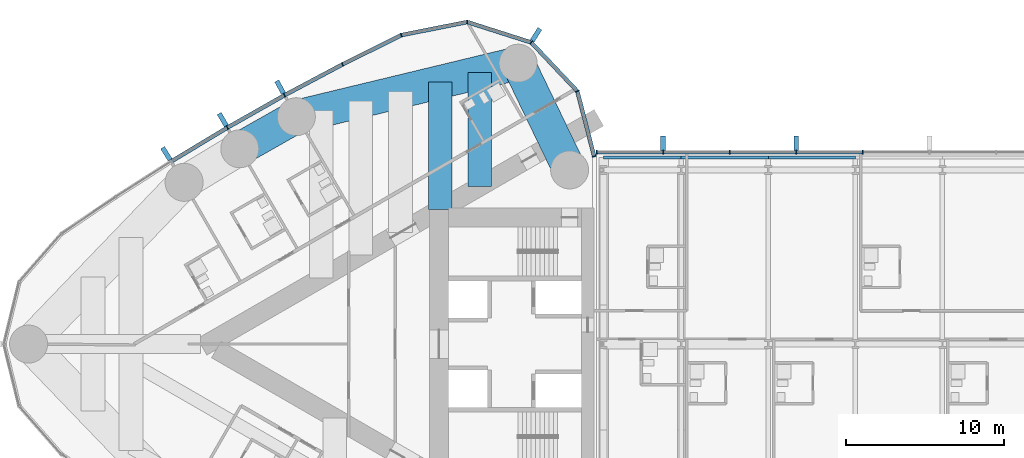
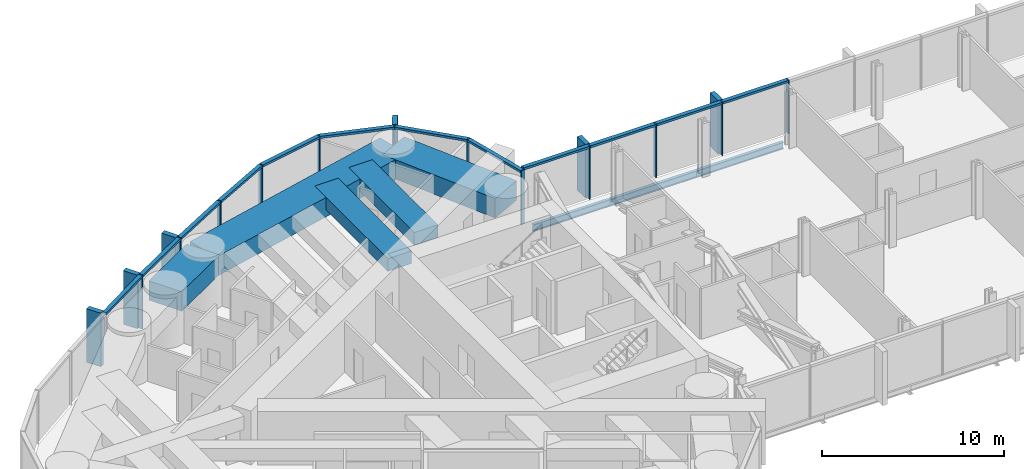
# One storey, part 6 of 23: 31 members, 8 beams, 2 elements without a shape of their own.
"""IFC4 building model written with IfcOpenShell, lengths in metres."""

from ifc_helpers import new_model, si_unit, direction, frame, origin, origin_2d, place, context, subcontext, project, spatial, rectangle, i_section, extrude, material, material_profile, profile_set, type_object, element, aggregate, save


model = new_model("IFC4")

# Units and contexts
model_context = context("Model", 3, precision=1e-05, world=origin(), true_north=direction((0.0, 1.0)))
body_context = subcontext(model_context, "Body", "Model", "MODEL_VIEW")
ifc_project = project(units=[si_unit("LENGTHUNIT", "METRE"), si_unit("AREAUNIT", "SQUARE_METRE"), si_unit("VOLUMEUNIT", "CUBIC_METRE"), si_unit("PLANEANGLEUNIT", "RADIAN"), si_unit("MASSUNIT", "GRAM", prefix="KILO")], contexts=[model_context])

# Site, building, storey
site_placement = place(None, origin())
site = spatial("IfcSite", under=ifc_project, at=site_placement, CompositionType="ELEMENT")
building_placement = place(site_placement, origin())
building = spatial("IfcBuilding", under=site, at=building_placement, Name="Lancet Gate Hotel", CompositionType="ELEMENT")
storey_placement = place(building_placement, frame((0.0, 0.0, 240.5)))
storey = spatial("IfcBuildingStorey", under=building, at=storey_placement, Name="L64", CompositionType="ELEMENT", Elevation=240.5)

# Curtain wall, members
ifc_material_1 = material(Name="Aluminium curtain wall", Category="aluminium")
curtain_wall_type_1 = type_object("IfcCurtainWallType", Name="Tower unitised curtain wall", PredefinedType="USERDEFINED", material=ifc_material_1)
curtain_wall_1_placement = place(storey_placement, origin())
curtain_wall_1 = element("IfcCurtainWall", 1, at=curtain_wall_1_placement, inside=storey, type_object=curtain_wall_type_1, Name="T1 L64 curtain wall 1", ObjectType="UNITISED CURTAIN WALL", PredefinedType="USERDEFINED")
ifc_material_2 = material(Name="Aluminium mullion", Category="aluminium")
ifc_material_profile_1 = material_profile(ifc_material_2, rectangle(XDim=0.06494140625, YDim=0.25, at=origin_2d()), Name="MULLION 65x250")
ifc_profile_set_1 = profile_set([ifc_material_profile_1], Name="Aluminium mullion")
member_type_1 = type_object("IfcMemberType", Name="Aluminium mullion 65x250", PredefinedType="MULLION", material=ifc_profile_set_1)
member_1_placement = place(storey_placement, frame((-27.5, 11.861572265625, 0.0), z_axis=(0.0, 0.0, 1.0), x_axis=(-0.249725827997, 0.968316586056, 0.0)))
member_1 = element("IfcMember", 2, at=member_1_placement, type_object=member_type_1, Name="T1 L64 curtain wall 1 mullion 1", PredefinedType="MULLION", context=body_context, shape_type="SweptSolid", body=[
    extrude(rectangle(XDim=0.06494140625, YDim=0.25, at=origin_2d()), origin(), (0.0, 0.0, 1.0), 3.60009765625),
])
member_2_placement = place(storey_placement, frame((-28.56005859375, 15.97216796875, 0.0), z_axis=(0.0, 0.0, 1.0), x_axis=(-0.483627322447, 0.875274021654, 0.0)))
member_2 = element("IfcMember", 3, at=member_2_placement, type_object=member_type_1, Name="T1 L64 curtain wall 1 mullion 2", PredefinedType="MULLION", context=body_context, shape_type="SweptSolid", body=[
    extrude(rectangle(XDim=0.06494140625, YDim=0.25, at=origin_2d()), origin(), (0.0, 0.0, 1.0), 3.60009765625),
])
member_3_placement = place(storey_placement, frame((-31.476318359375, 19.0576171875, 0.0), z_axis=(0.0, 0.0, 1.0), x_axis=(-0.846612863, 0.532209225966, 0.0)))
member_3 = element("IfcMember", 4, at=member_3_placement, type_object=member_type_1, Name="T1 L64 curtain wall 1 mullion 3", PredefinedType="MULLION", context=body_context, shape_type="SweptSolid", body=[
    extrude(rectangle(XDim=0.06494140625, YDim=0.25, at=origin_2d()), origin(), (0.0, 0.0, 1.0), 3.60009765625),
])
member_4_placement = place(storey_placement, frame((-35.520751953125, 20.347900390625, 0.0), z_axis=(0.0, 0.0, 1.0), x_axis=(-0.998409168318, 0.056383797491, 0.0)))
member_4 = element("IfcMember", 5, at=member_4_placement, type_object=member_type_1, Name="T1 L64 curtain wall 1 mullion 4", PredefinedType="MULLION", context=body_context, shape_type="SweptSolid", body=[
    extrude(rectangle(XDim=0.06494140625, YDim=0.25, at=origin_2d()), origin(), (0.0, 0.0, 1.0), 3.60009765625),
])
member_5_placement = place(storey_placement, frame((-39.684814453125, 19.521240234375, 0.0), z_axis=(0.0, 0.0, 1.0), x_axis=(-0.946887706423, -0.321564412561, 0.0)))
member_5 = element("IfcMember", 6, at=member_5_placement, type_object=member_type_1, Name="T1 L64 curtain wall 1 mullion 5", PredefinedType="MULLION", context=body_context, shape_type="SweptSolid", body=[
    extrude(rectangle(XDim=0.06494140625, YDim=0.25, at=origin_2d()), origin(), (0.0, 0.0, 1.0), 3.60009765625),
])
member_6_placement = place(storey_placement, frame((-43.3994140625, 17.67236328125, 0.0), z_axis=(0.0, 0.0, 1.0), x_axis=(-0.889155526065, -0.457605125046, 0.0)))
member_6 = element("IfcMember", 7, at=member_6_placement, type_object=member_type_1, Name="T1 L64 curtain wall 1 mullion 6", PredefinedType="MULLION", context=body_context, shape_type="SweptSolid", body=[
    extrude(rectangle(XDim=0.06494140625, YDim=0.25, at=origin_2d()), origin(), (0.0, 0.0, 1.0), 3.60009765625),
])
member_7_placement = place(storey_placement, frame((-47.062744140625, 15.72412109375, 0.0), z_axis=(0.0, 0.0, 1.0), x_axis=(-0.876516407283, -0.481371984815, 0.0)))
member_7 = element("IfcMember", 8, at=member_7_placement, type_object=member_type_1, Name="T1 L64 curtain wall 1 mullion 7", PredefinedType="MULLION", context=body_context, shape_type="SweptSolid", body=[
    extrude(rectangle(XDim=0.06494140625, YDim=0.25, at=origin_2d()), origin(), (0.0, 0.0, 1.0), 3.60009765625),
])
member_8_placement = place(storey_placement, frame((-50.67236328125, 13.677978515625, 0.0), z_axis=(0.0, 0.0, 1.0), x_axis=(-0.863242155108, -0.504790037189, 0.0)))
member_8 = element("IfcMember", 9, at=member_8_placement, type_object=member_type_1, Name="T1 L64 curtain wall 1 mullion 8", PredefinedType="MULLION", context=body_context, shape_type="SweptSolid", body=[
    extrude(rectangle(XDim=0.06494140625, YDim=0.25, at=origin_2d()), origin(), (0.0, 0.0, 1.0), 3.60009765625),
])

ifc_material_3 = material(Name="Aluminium curtain wall", Category="aluminium")
curtain_wall_type_2 = type_object("IfcCurtainWallType", Name="Bridge block curtain wall", PredefinedType="USERDEFINED", material=ifc_material_3)
curtain_wall_2_placement = place(storey_placement, origin())
curtain_wall_2 = element("IfcCurtainWall", 10, at=curtain_wall_2_placement, inside=storey, type_object=curtain_wall_type_2, Name="Bridge block L64 curtain wall N", ObjectType="UNITISED CURTAIN WALL", PredefinedType="USERDEFINED")
member_9_placement = place(storey_placement, frame((-10.519287109375, 12.1201171875, 0.0), z_axis=(0.0, 0.0, 1.0), x_axis=(-1.0, 0.0, 0.0)))
member_9 = element("IfcMember", 11, at=member_9_placement, type_object=member_type_1, Name="Bridge block L64 curtain wall N mullion 10", PredefinedType="MULLION", context=body_context, shape_type="SweptSolid", body=[
    extrude(rectangle(XDim=0.06494140625, YDim=0.25, at=origin_2d()), origin(), (0.0, 0.0, 1.0), 3.60009765625),
])
member_10_placement = place(storey_placement, frame((-14.726806640625, 12.1201171875, 0.0), z_axis=(0.0, 0.0, 1.0), x_axis=(-1.0, 0.0, 0.0)))
member_10 = element("IfcMember", 12, at=member_10_placement, type_object=member_type_1, Name="Bridge block L64 curtain wall N mullion 11", PredefinedType="MULLION", context=body_context, shape_type="SweptSolid", body=[
    extrude(rectangle(XDim=0.06494140625, YDim=0.25, at=origin_2d()), origin(), (0.0, 0.0, 1.0), 3.60009765625),
])
member_11_placement = place(storey_placement, frame((-18.9345703125, 12.1201171875, 0.0), z_axis=(0.0, 0.0, 1.0), x_axis=(-1.0, 0.0, 0.0)))
member_11 = element("IfcMember", 13, at=member_11_placement, type_object=member_type_1, Name="Bridge block L64 curtain wall N mullion 12", PredefinedType="MULLION", context=body_context, shape_type="SweptSolid", body=[
    extrude(rectangle(XDim=0.06494140625, YDim=0.25, at=origin_2d()), origin(), (0.0, 0.0, 1.0), 3.60009765625),
])
member_12_placement = place(storey_placement, frame((-23.142333984375, 12.1201171875, 0.0), z_axis=(0.0, 0.0, 1.0), x_axis=(-1.0, 0.0, 0.0)))
member_12 = element("IfcMember", 14, at=member_12_placement, type_object=member_type_1, Name="Bridge block L64 curtain wall N mullion 13", PredefinedType="MULLION", context=body_context, shape_type="SweptSolid", body=[
    extrude(rectangle(XDim=0.06494140625, YDim=0.25, at=origin_2d()), origin(), (0.0, 0.0, 1.0), 3.60009765625),
])
member_13_placement = place(storey_placement, frame((-27.35009765625, 12.1201171875, 0.0), z_axis=(0.0, 0.0, 1.0), x_axis=(-1.0, 0.0, 0.0)))
member_13 = element("IfcMember", 15, at=member_13_placement, type_object=member_type_1, Name="Bridge block L64 curtain wall N mullion 14", PredefinedType="MULLION", context=body_context, shape_type="SweptSolid", body=[
    extrude(rectangle(XDim=0.06494140625, YDim=0.25, at=origin_2d()), origin(), (0.0, 0.0, 1.0), 3.60009765625),
])

# Member
ifc_material_4 = material(Name="Aluminium transom", Category="aluminium")
ifc_material_profile_2 = material_profile(ifc_material_4, rectangle(XDim=0.25, YDim=0.14990234375, at=origin_2d()), Name="TRANSOM 250x150")
ifc_profile_set_2 = profile_set([ifc_material_profile_2], Name="Aluminium transom")
member_type_2 = type_object("IfcMemberType", Name="Aluminium transom 250x150", PredefinedType="USERDEFINED", material=ifc_profile_set_2)
member_14_placement = place(storey_placement, frame((-27.508056640625, 11.892822265625, 3.52490234375), z_axis=(-0.249715522936, 0.968319243641, 0.0), x_axis=(-0.968319243641, -0.249715522936, 0.0)))
member_14 = element("IfcMember", 16, at=member_14_placement, type_object=member_type_2, Name="T1 L64 curtain wall 1 transom 1", ObjectType="TRANSOM", PredefinedType="USERDEFINED", context=body_context, shape_type="SweptSolid", body=[
    extrude(rectangle(XDim=0.25, YDim=0.14990234375, at=origin_2d()), origin(), (0.0, 0.0, 1.0), 4.180419921875),
])

member_15_placement = place(storey_placement, frame((-28.58251953125, 15.995849609375, 3.52490234375), z_axis=(-0.686880731091, 0.726770157103, 0.0), x_axis=(-0.726770157103, -0.686880731091, 0.0)))
member_15 = element("IfcMember", 17, at=member_15_placement, type_object=member_type_2, Name="T1 L64 curtain wall 1 transom 2", ObjectType="TRANSOM", PredefinedType="USERDEFINED", context=body_context, shape_type="SweptSolid", body=[
    extrude(rectangle(XDim=0.25, YDim=0.14990234375, at=origin_2d()), origin(), (0.0, 0.0, 1.0), 4.18017578125),
])

member_16_placement = place(storey_placement, frame((-31.507080078125, 19.067626953125, 3.52490234375), z_axis=(-0.952697713775, 0.303919506068, 0.0), x_axis=(-0.303919506068, -0.952697713775, 0.0)))
member_16 = element("IfcMember", 18, at=member_16_placement, type_object=member_type_2, Name="T1 L64 curtain wall 1 transom 3", ObjectType="TRANSOM", PredefinedType="USERDEFINED", context=body_context, shape_type="SweptSolid", body=[
    extrude(rectangle(XDim=0.25, YDim=0.14990234375, at=origin_2d()), origin(), (0.0, 0.0, 1.0), 4.180419921875),
])

member_17_placement = place(storey_placement, frame((-35.552734375, 20.341552734375, 3.52490234375), z_axis=(-0.980858234867, -0.194723196085, 0.0), x_axis=(0.194723196085, -0.980858234867, 0.0)))
member_17 = element("IfcMember", 19, at=member_17_placement, type_object=member_type_2, Name="T1 L64 curtain wall 1 transom 4", ObjectType="TRANSOM", PredefinedType="USERDEFINED", context=body_context, shape_type="SweptSolid", body=[
    extrude(rectangle(XDim=0.25, YDim=0.14990234375, at=origin_2d()), origin(), (0.0, 0.0, 1.0), 4.18017578125),
])

member_18_placement = place(storey_placement, frame((-39.7138671875, 19.5068359375, 3.52490234375), z_axis=(-0.895226720479, -0.445610950202, 0.0), x_axis=(0.445610950202, -0.895226720479, 0.0)))
member_18 = element("IfcMember", 20, at=member_18_placement, type_object=member_type_2, Name="T1 L64 curtain wall 1 transom 5", ObjectType="TRANSOM", PredefinedType="USERDEFINED", context=body_context, shape_type="SweptSolid", body=[
    extrude(rectangle(XDim=0.25, YDim=0.14990234375, at=origin_2d()), origin(), (0.0, 0.0, 1.0), 4.08447265625),
])

member_19_placement = place(storey_placement, frame((-43.427978515625, 17.656982421875, 3.52490234375), z_axis=(-0.882944619844, -0.469477154171, 0.0), x_axis=(0.469477154171, -0.882944619844, 0.0)))
member_19 = element("IfcMember", 21, at=member_19_placement, type_object=member_type_2, Name="T1 L64 curtain wall 1 transom 6", ObjectType="TRANSOM", PredefinedType="USERDEFINED", context=body_context, shape_type="SweptSolid", body=[
    extrude(rectangle(XDim=0.25, YDim=0.14990234375, at=origin_2d()), origin(), (0.0, 0.0, 1.0), 4.084228515625),
])

member_20_placement = place(storey_placement, frame((-47.091064453125, 15.7080078125, 3.52490234375), z_axis=(-0.869977740049, -0.493090997503, 0.0), x_axis=(0.493090997503, -0.869977740049, 0.0)))
member_20 = element("IfcMember", 22, at=member_20_placement, type_object=member_type_2, Name="T1 L64 curtain wall 1 transom 7", ObjectType="TRANSOM", PredefinedType="USERDEFINED", context=body_context, shape_type="SweptSolid", body=[
    extrude(rectangle(XDim=0.25, YDim=0.14990234375, at=origin_2d()), origin(), (0.0, 0.0, 1.0), 4.084228515625),
])

member_21_placement = place(storey_placement, frame((-50.7001953125, 13.661376953125, 3.52490234375), z_axis=(-0.856362214892, -0.516375596737, 0.0), x_axis=(0.516375596737, -0.856362214892, 0.0)))
member_21 = element("IfcMember", 23, at=member_21_placement, type_object=member_type_2, Name="T1 L64 curtain wall 1 transom 8", ObjectType="TRANSOM", PredefinedType="USERDEFINED", context=body_context, shape_type="SweptSolid", body=[
    extrude(rectangle(XDim=0.25, YDim=0.14990234375, at=origin_2d()), origin(), (0.0, 0.0, 1.0), 4.08447265625),
])

member_22_placement = place(storey_placement, frame((-10.5517578125, 12.1201171875, 3.52490234375), z_axis=(-1.0, 0.0, 0.0), x_axis=(0.0, -1.0, 0.0)))
member_22 = element("IfcMember", 24, at=member_22_placement, type_object=member_type_2, Name="Bridge block L64 curtain wall N transom 10", ObjectType="TRANSOM", PredefinedType="USERDEFINED", context=body_context, shape_type="SweptSolid", body=[
    extrude(rectangle(XDim=0.25, YDim=0.14990234375, at=origin_2d()), origin(), (0.0, 0.0, 1.0), 4.142578125),
])

member_23_placement = place(storey_placement, frame((-14.759521484375, 12.1201171875, 3.52490234375), z_axis=(-1.0, 0.0, 0.0), x_axis=(0.0, -1.0, 0.0)))
member_23 = element("IfcMember", 25, at=member_23_placement, type_object=member_type_2, Name="Bridge block L64 curtain wall N transom 11", ObjectType="TRANSOM", PredefinedType="USERDEFINED", context=body_context, shape_type="SweptSolid", body=[
    extrude(rectangle(XDim=0.25, YDim=0.14990234375, at=origin_2d()), origin(), (0.0, 0.0, 1.0), 4.142578125),
])

member_24_placement = place(storey_placement, frame((-18.967041015625, 12.1201171875, 3.52490234375), z_axis=(-1.0, 0.0, 0.0), x_axis=(0.0, -1.0, 0.0)))
member_24 = element("IfcMember", 26, at=member_24_placement, type_object=member_type_2, Name="Bridge block L64 curtain wall N transom 12", ObjectType="TRANSOM", PredefinedType="USERDEFINED", context=body_context, shape_type="SweptSolid", body=[
    extrude(rectangle(XDim=0.25, YDim=0.14990234375, at=origin_2d()), origin(), (0.0, 0.0, 1.0), 4.142822265625),
])

member_25_placement = place(storey_placement, frame((-23.1748046875, 12.1201171875, 3.52490234375), z_axis=(-1.0, 0.0, 0.0), x_axis=(0.0, -1.0, 0.0)))
member_25 = element("IfcMember", 27, at=member_25_placement, type_object=member_type_2, Name="Bridge block L64 curtain wall N transom 13", ObjectType="TRANSOM", PredefinedType="USERDEFINED", context=body_context, shape_type="SweptSolid", body=[
    extrude(rectangle(XDim=0.25, YDim=0.14990234375, at=origin_2d()), origin(), (0.0, 0.0, 1.0), 4.142578125),
])

# Beams
ifc_material_5 = material(Name="Steel S355", Category="steel")
ifc_material_profile_3 = material_profile(ifc_material_5, i_section(OverallWidth=0.19140625, OverallDepth=0.4599609375, WebThickness=0.010009765625, FlangeThickness=0.01611328125, FilletRadius=0.01025390625, at=origin_2d()), Name="UKB 457x191x82")
ifc_profile_set_3 = profile_set([ifc_material_profile_3], Name="Steel S355")
beam_type_1 = type_object("IfcBeamType", Name="Block edge beam UKB 457x191x82", PredefinedType="SPANDREL", material=ifc_profile_set_3)
beam_1_placement = place(storey_placement, frame((-26.89990234375, 11.800048828125, -0.429931640625), z_axis=(1.0, 0.0, 0.0), x_axis=(0.0, 1.0, 0.0)))
element("IfcBeam", 28, at=beam_1_placement, inside=storey, type_object=beam_type_1, Name="Block edge beam N 0-1 L64", PredefinedType="SPANDREL", context=body_context, shape_type="SweptSolid", body=[
    extrude(i_section(OverallWidth=0.19140625, OverallDepth=0.4599609375, WebThickness=0.010009765625, FlangeThickness=0.01611328125, FilletRadius=0.01025390625, at=origin_2d()), origin(), (0.0, 0.0, 1.0), 4.89990234375),
])
for number, where, z_axis, x_axis, name in (
    (29, (-22.0, 11.800048828125, -0.429931640625), (1.0, 0.0, 0.0), (0.0, 1.0, 0.0), "Block edge beam N 1-2 L64"),
    (30, (-16.5, 11.800048828125, -0.429931640625), (1.0, 0.0, 0.0), (0.0, 1.0, 0.0), "Block edge beam N 2-3 L64"),
):
    element("IfcBeam", number, at=place(storey_placement, frame(where, z_axis=z_axis, x_axis=x_axis)), inside=storey, type_object=beam_type_1, Name=name, PredefinedType="SPANDREL", context=body_context, shape_type="SweptSolid", body=[
        extrude(i_section(OverallWidth=0.19140625, OverallDepth=0.4599609375, WebThickness=0.010009765625, FlangeThickness=0.01611328125, FilletRadius=0.01025390625, at=origin_2d()), origin(), (0.0, 0.0, 1.0), 5.5),
    ])
ifc_material_6 = material(Name="Concrete C50/60", Category="concrete")
ifc_material_profile_4 = material_profile(ifc_material_6, rectangle(XDim=2.10009765625, YDim=1.300048828125, at=origin_2d()), Name="RC 2100x1300")
ifc_profile_set_4 = profile_set([ifc_material_profile_4], Name="Concrete C50/60")
beam_type_2 = type_object("IfcBeamType", Name="Edge beam RC 2100x1300", PredefinedType="SPANDREL", material=ifc_profile_set_4)
beam_2_placement = place(storey_placement, frame((-32.301025390625, 17.745361328125, 2.699951171875), z_axis=(-0.972132796948, -0.234430853556, 0.0), x_axis=(0.234430853556, -0.972132796948, 0.0)))
element("IfcBeam", 31, at=beam_2_placement, inside=storey, type_object=beam_type_2, Name="T1 edge beam EB1 L64", PredefinedType="SPANDREL", context=body_context, shape_type="SweptSolid", body=[
    extrude(rectangle(XDim=2.10009765625, YDim=1.300048828125, at=origin_2d()), origin(), (0.0, 0.0, 1.0), 14.41748046875),
])
beam_3_placement = place(storey_placement, frame((-46.316650390625, 14.365478515625, 2.699951171875), z_axis=(-0.869978841992, -0.493089053301, 0.0), x_axis=(0.493089053301, -0.869978841992, 0.0)))
element("IfcBeam", 32, at=beam_3_placement, inside=storey, type_object=beam_type_2, Name="T1 edge beam EB1 L64", PredefinedType="SPANDREL", context=body_context, shape_type="SweptSolid", body=[
    extrude(rectangle(XDim=2.10009765625, YDim=1.300048828125, at=origin_2d()), origin(), (0.0, 0.0, 1.0), 4.107666015625),
])
beam_4_placement = place(storey_placement, frame((-32.301025390625, 17.745361328125, 2.699951171875), z_axis=(0.434163599361, -0.900834040759, 0.0), x_axis=(0.900834040759, 0.434163599361, 0.0)))
element("IfcBeam", 33, at=beam_4_placement, inside=storey, type_object=beam_type_2, Name="T1 edge beam EB1 L64", PredefinedType="SPANDREL", context=body_context, shape_type="SweptSolid", body=[
    extrude(rectangle(XDim=2.10009765625, YDim=1.300048828125, at=origin_2d()), origin(), (0.0, 0.0, 1.0), 7.48779296875),
])

# Member
ifc_material_7 = material(Name="Precast concrete C50/60", Category="concrete")
ifc_material_profile_5 = material_profile(ifc_material_7, rectangle(XDim=0.300048828125, YDim=0.89990234375, at=origin_2d()), Name="FIN 300x900")
ifc_profile_set_5 = profile_set([ifc_material_profile_5], Name="Precast concrete C50/60")
member_type_3 = type_object("IfcMemberType", Name="Exposed concrete fin 300x900", PredefinedType="USERDEFINED", material=ifc_profile_set_5)
member_26_placement = place(storey_placement, frame((-31.170166015625, 19.54443359375, 0.0), z_axis=(0.0, 0.0, 1.0), x_axis=(-0.846612863, 0.532209225966, 0.0)))
member_26 = element("IfcMember", 34, at=member_26_placement, type_object=member_type_3, Name="T1 L64 curtain wall 1 fin 3", ObjectType="FIN", PredefinedType="USERDEFINED", context=body_context, shape_type="SweptSolid", body=[
    extrude(rectangle(XDim=0.300048828125, YDim=0.89990234375, at=origin_2d()), origin(), (0.0, 0.0, 1.0), 3.60009765625),
])

member_27_placement = place(storey_placement, frame((-47.339599609375, 16.22802734375, 0.0), z_axis=(0.0, 0.0, 1.0), x_axis=(-0.876516407283, -0.481371984815, 0.0)))
member_27 = element("IfcMember", 35, at=member_27_placement, type_object=member_type_3, Name="T1 L64 curtain wall 1 fin 7", ObjectType="FIN", PredefinedType="USERDEFINED", context=body_context, shape_type="SweptSolid", body=[
    extrude(rectangle(XDim=0.300048828125, YDim=0.89990234375, at=origin_2d()), origin(), (0.0, 0.0, 1.0), 3.60009765625),
])

member_28_placement = place(storey_placement, frame((-50.962646484375, 14.17431640625, 0.0), z_axis=(0.0, 0.0, 1.0), x_axis=(-0.863242155108, -0.504790037189, 0.0)))
member_28 = element("IfcMember", 36, at=member_28_placement, type_object=member_type_3, Name="T1 L64 curtain wall 1 fin 8", ObjectType="FIN", PredefinedType="USERDEFINED", context=body_context, shape_type="SweptSolid", body=[
    extrude(rectangle(XDim=0.300048828125, YDim=0.89990234375, at=origin_2d()), origin(), (0.0, 0.0, 1.0), 3.60009765625),
])

member_29_placement = place(storey_placement, frame((-54.529296875, 12.02392578125, 0.0), z_axis=(0.0, 0.0, 1.0), x_axis=(-0.849342388216, -0.527842313176, 0.0)))
member_29 = element("IfcMember", 37, at=member_29_placement, type_object=member_type_3, Name="T1 L64 curtain wall 1 fin 9", ObjectType="FIN", PredefinedType="USERDEFINED", context=body_context, shape_type="SweptSolid", body=[
    extrude(rectangle(XDim=0.300048828125, YDim=0.89990234375, at=origin_2d()), origin(), (0.0, 0.0, 1.0), 3.60009765625),
])

aggregate(curtain_wall_1, [member_1, member_2, member_3, member_26, member_4, member_5, member_6, member_7, member_27, member_8, member_28, member_29, member_14, member_15, member_16, member_17, member_18, member_19, member_20, member_21])

member_30_placement = place(storey_placement, frame((-14.726806640625, 12.695068359375, 0.0), z_axis=(0.0, 0.0, 1.0), x_axis=(-1.0, 0.0, 0.0)))
member_30 = element("IfcMember", 38, at=member_30_placement, type_object=member_type_3, Name="Bridge block L64 curtain wall N fin 11", ObjectType="FIN", PredefinedType="USERDEFINED", context=body_context, shape_type="SweptSolid", body=[
    extrude(rectangle(XDim=0.300048828125, YDim=0.89990234375, at=origin_2d()), origin(), (0.0, 0.0, 1.0), 3.60009765625),
])

member_31_placement = place(storey_placement, frame((-23.142333984375, 12.695068359375, 0.0), z_axis=(0.0, 0.0, 1.0), x_axis=(-1.0, 0.0, 0.0)))
member_31 = element("IfcMember", 39, at=member_31_placement, type_object=member_type_3, Name="Bridge block L64 curtain wall N fin 13", ObjectType="FIN", PredefinedType="USERDEFINED", context=body_context, shape_type="SweptSolid", body=[
    extrude(rectangle(XDim=0.300048828125, YDim=0.89990234375, at=origin_2d()), origin(), (0.0, 0.0, 1.0), 3.60009765625),
])

aggregate(curtain_wall_2, [member_9, member_10, member_30, member_11, member_12, member_31, member_13, member_22, member_23, member_24, member_25])

# Beams
ifc_material_8 = material(Name="Concrete C50/60", Category="concrete")
ifc_material_profile_6 = material_profile(ifc_material_8, rectangle(XDim=1.5, YDim=0.85009765625, at=origin_2d()), Name="RC 1500x850")
ifc_profile_set_6 = profile_set([ifc_material_profile_6], Name="Concrete C50/60")
beam_type_3 = type_object("IfcBeamType", Name="Floor beam RC 1500x850", PredefinedType="BEAM", material=ifc_profile_set_6)
beam_5_placement = place(storey_placement, frame((-34.720458984375, 17.161865234375, 2.925048828125), z_axis=(0.0, -1.0, 0.0), x_axis=(1.0, 0.0, 0.0)))
element("IfcBeam", 40, at=beam_5_placement, inside=storey, type_object=beam_type_3, Name="T1 floor beam F02S L64", PredefinedType="BEAM", context=body_context, shape_type="SweptSolid", body=[
    extrude(rectangle(XDim=1.5, YDim=0.85009765625, at=origin_2d()), origin(), (0.0, 0.0, 1.0), 7.203857421875),
])
beam_6_placement = place(storey_placement, frame((-37.227294921875, 16.557373046875, 2.925048828125), z_axis=(0.0, -1.0, 0.0), x_axis=(1.0, 0.0, 0.0)))
element("IfcBeam", 41, at=beam_6_placement, inside=storey, type_object=beam_type_3, Name="T1 floor beam F03S L64", PredefinedType="BEAM", context=body_context, shape_type="SweptSolid", body=[
    extrude(rectangle(XDim=1.5, YDim=0.85009765625, at=origin_2d()), origin(), (0.0, 0.0, 1.0), 8.046630859375),
])

save(model, "model.ifc")
